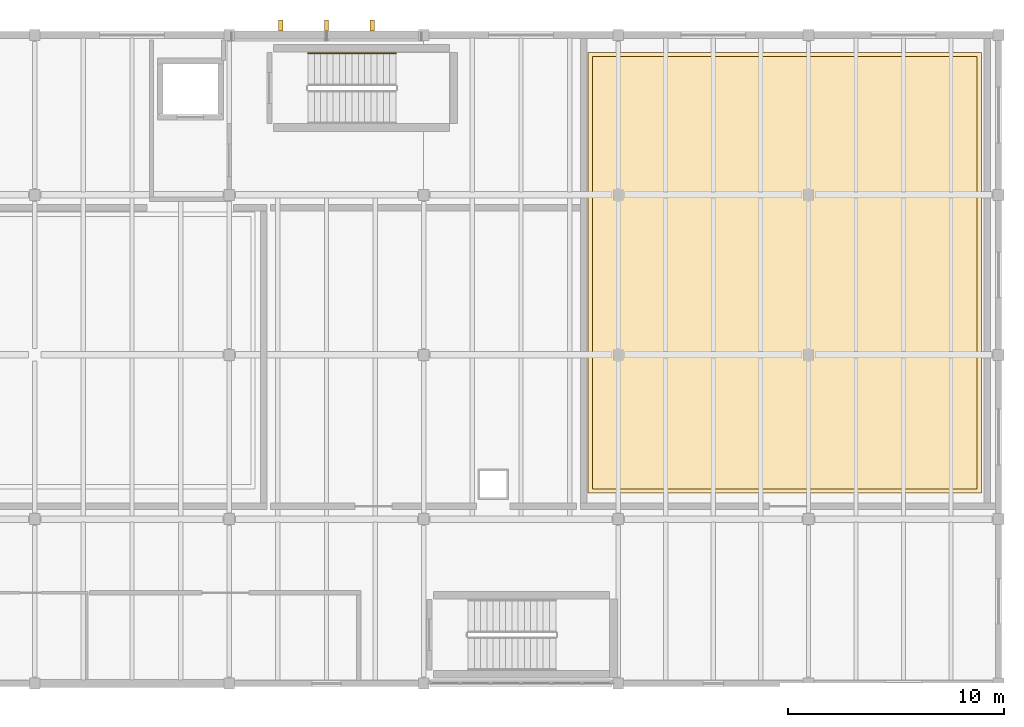
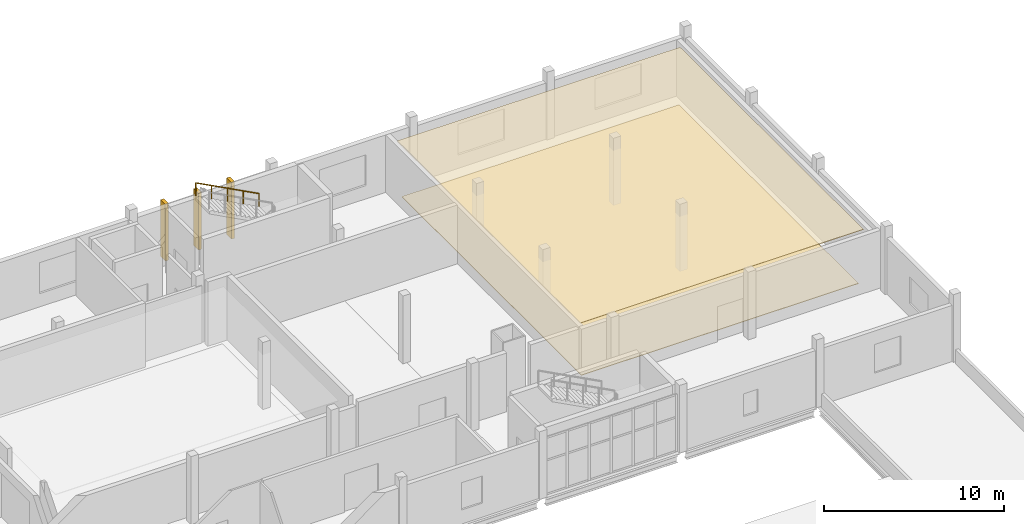
# One storey, part 74 of 74: 3 shading devices, 2 coverings, 1 railing.
"""IFC4 building model written with IfcOpenShell, lengths in metres."""

import ifcopenshell
import ifcopenshell.guid

model = None  # the IFC model being written
_history = None  # IfcOwnerHistory: only IFC2X3 demands one
_inside = {}  # id of a spatial element -> (the spatial element, [elements in it])
_under = {}  # id of a project, library or spatial element -> (it, [spatial elements below it])
_declared = {}  # id of a project -> (the project, [libraries it declares])
_typed = {}  # id of a type object -> (the type object, [elements of that type])
_made_of = {}  # id of a material, layer set ... -> (it, [elements and type objects made of it])


def new_model(schema):
    """Start an empty IFC model of exactly this schema.

    Asked for "IFC4X3", IfcOpenShell would pick the latest addendum, in which some entities
    have other attributes; the version numbers below select the first issue.
    IFC2X3 requires an IfcOwnerHistory on every rooted entity: one is made here for all.
    """
    global model, _history
    if schema == "IFC4X3":
        model = ifcopenshell.file(schema_version=(4, 3, 0, 0))
    else:
        model = ifcopenshell.file(schema=schema)
    _inside.clear()
    _under.clear()
    _declared.clear()
    _typed.clear()
    _made_of.clear()
    _history = None
    if model.schema == "IFC2X3":
        org = make("IfcOrganization", Name="unknown")
        user = make(
            "IfcPersonAndOrganization",
            ThePerson=make("IfcPerson", FamilyName="unknown"),
            TheOrganization=org,
        )
        app = make(
            "IfcApplication",
            ApplicationDeveloper=org,
            Version="unknown",
            ApplicationFullName="unknown",
            ApplicationIdentifier="unknown",
        )
        _history = make(
            "IfcOwnerHistory",
            OwningUser=user,
            OwningApplication=app,
            ChangeAction="ADDED",
            CreationDate=0,
        )
    return model


def make(cls, **values):
    """One entity of the class cls with the attributes given. An attribute that is None is left unset."""
    return model.create_entity(
        cls, **{name: value for name, value in values.items() if value is not None}
    )


def rooted(cls, **values):
    """An entity with a GlobalId (a new one), such as an element, a storey or a relation."""
    return make(cls, GlobalId=ifcopenshell.guid.new(), OwnerHistory=_history, **values)


def si_unit(unit_type, name, prefix=None):
    """IfcSIUnit, for example si_unit("LENGTHUNIT", "METRE", prefix="MILLI")."""
    return make("IfcSIUnit", UnitType=unit_type, Prefix=prefix, Name=name)


def assignment(units):
    """IfcUnitAssignment: the units of a project."""
    return None if units is None else make("IfcUnitAssignment", Units=units)


def point(xyz):
    """IfcCartesianPoint."""
    return None if xyz is None else make("IfcCartesianPoint", Coordinates=xyz)


def direction(xyz):
    """IfcDirection."""
    return None if xyz is None else make("IfcDirection", DirectionRatios=xyz)


def frame(location, z_axis=None, x_axis=None):
    """IfcAxis2Placement3D, a coordinate frame: its origin and axes. An axis left out is left unset."""
    return make(
        "IfcAxis2Placement3D",
        Location=point(location),
        Axis=direction(z_axis),
        RefDirection=direction(x_axis),
    )


def frame_2d(location, x_axis=None):
    """IfcAxis2Placement2D, a coordinate frame in the plane: its origin and x axis."""
    return make(
        "IfcAxis2Placement2D", Location=point(location), RefDirection=direction(x_axis)
    )


def origin():
    """The frame at (0, 0, 0) with its axes left unset."""
    return frame((0.0, 0.0, 0.0))


def origin_2d():
    """The frame at (0, 0) in the plane with its x axis left unset."""
    return frame_2d((0.0, 0.0))


def place(relative_to, where):
    """IfcLocalPlacement: puts the frame where relative to a parent placement (None: the world)."""
    return make(
        "IfcLocalPlacement", PlacementRelTo=relative_to, RelativePlacement=where
    )


def context(
    kind, dimensions, precision=None, world=None, true_north=None, identifier=None
):
    """IfcGeometricRepresentationContext, for example the 3D "Model" context."""
    return make(
        "IfcGeometricRepresentationContext",
        ContextIdentifier=identifier,
        ContextType=kind,
        CoordinateSpaceDimension=dimensions,
        Precision=precision,
        WorldCoordinateSystem=world,
        TrueNorth=true_north,
    )


def subcontext(parent, identifier, kind, view, scale=None):
    """IfcGeometricRepresentationSubContext, for example "Body" below "Model"."""
    return make(
        "IfcGeometricRepresentationSubContext",
        ContextIdentifier=identifier,
        ContextType=kind,
        ParentContext=parent,
        TargetScale=scale,
        TargetView=view,
    )


def project(units=None, contexts=None):
    """IfcProject with its units and contexts."""
    return rooted(
        "IfcProject",
        Name="project",
        RepresentationContexts=contexts,
        UnitsInContext=assignment(units),
    )


def spatial(cls, under=None, at=None, **own):
    """A site, building, storey or space (cls), placed at a placement, below another one or the project."""
    s = rooted(cls, ObjectPlacement=at, **own)
    if under is not None:
        _under.setdefault(under.id(), (under, []))[1].append(s)
    return s


def polyline(points):
    """IfcPolyline through the points."""
    return make("IfcPolyline", Points=[point(p) for p in points])


def profile(cls, at=None, kind="AREA", **sizes):
    """A parametric profile (cls). Its sizes go by their IFC names, for example OverallWidth=200.0."""
    return make(cls, ProfileType=kind, Position=at, **sizes)


def rectangle(**sizes):
    """IfcRectangleProfileDef."""
    return profile("IfcRectangleProfileDef", **sizes)


def circle(**sizes):
    """IfcCircleProfileDef."""
    return profile("IfcCircleProfileDef", **sizes)


def outline(outer, holes=None, kind="AREA"):
    """IfcArbitraryClosedProfileDef: a profile drawn as a closed curve; with holes, ...WithVoids."""
    if holes is None:
        return make("IfcArbitraryClosedProfileDef", ProfileType=kind, OuterCurve=outer)
    return make(
        "IfcArbitraryProfileDefWithVoids",
        ProfileType=kind,
        OuterCurve=outer,
        InnerCurves=holes,
    )


def extrude(swept, where, along, depth):
    """IfcExtrudedAreaSolid: the profile swept, set in the frame where, extruded along a direction by depth."""
    return make(
        "IfcExtrudedAreaSolid",
        SweptArea=swept,
        Position=where,
        ExtrudedDirection=direction(along),
        Depth=depth,
    )


def shape(context_of_items, identifier, shape_type, items):
    """IfcShapeRepresentation: the items that make up one representation, for example the "Body"."""
    return make(
        "IfcShapeRepresentation",
        ContextOfItems=context_of_items,
        RepresentationIdentifier=identifier,
        RepresentationType=shape_type,
        Items=items,
    )


def material(Name=None, Category=None):
    """IfcMaterial."""
    return make("IfcMaterial", Name=Name, Category=Category)


def layer(
    of_material, thickness, ventilated=None, Name=None, Category=None, Priority=None
):
    """IfcMaterialLayer: one layer of a wall or slab, of a material (None: an air gap)."""
    return make(
        "IfcMaterialLayer",
        Material=of_material,
        LayerThickness=thickness,
        IsVentilated=ventilated,
        Name=Name,
        Category=Category,
        Priority=Priority,
    )


def layer_set(layers, Name=None):
    """IfcMaterialLayerSet."""
    return make("IfcMaterialLayerSet", MaterialLayers=layers, LayerSetName=Name)


def made_of(thing, what):
    """Note that an element or type object is made of a material, layer set ...; save() writes the relation."""
    if what is not None:
        _made_of.setdefault(what.id(), (what, []))[1].append(thing)
    return thing


def type_object(cls, material=None, **own):
    """A type object (cls), such as IfcWallType, which elements share."""
    return made_of(rooted(cls, **own), material)


def element(
    cls,
    number,
    at=None,
    inside=None,
    cuts=None,
    type_object=None,
    material=None,
    context=None,
    identifier="Body",
    shape_type=None,
    held_by="IfcProductDefinitionShape",
    body=None,
    shapes=None,
    **own,
):
    """One element of the class cls, such as IfcWall. Its Tag is "e" and its number.

    at: its placement. inside: the storey or other place that contains it. cuts: it is an
    opening in that element (IfcRelVoidsElement). A single representation is given by context,
    identifier, shape_type and body (its items); several are given by shapes. held_by: the class
    of the entity that holds the representations. save() writes the other relations.
    """
    e = rooted(cls, Tag="e%d" % number, ObjectPlacement=at, **own)
    if body is not None:
        shapes = [shape(context, identifier, shape_type, body)]
    if shapes is not None:
        e.Representation = make(held_by, Representations=shapes)
    if inside is not None:
        _inside.setdefault(inside.id(), (inside, []))[1].append(e)
    if cuts is not None:
        rooted(
            "IfcRelVoidsElement", RelatingBuildingElement=cuts, RelatedOpeningElement=e
        )
    if type_object is not None:
        _typed.setdefault(type_object.id(), (type_object, []))[1].append(e)
    return made_of(e, material)


def aggregate(whole, parts):
    """IfcRelAggregates: a whole, such as a stair, and the parts it consists of."""
    return rooted("IfcRelAggregates", RelatingObject=whole, RelatedObjects=parts)


def save(model, path):
    """Write the relations noted so far, then the file.

    IfcRelAggregates (storeys below a building ...), IfcRelContainedInSpatialStructure (elements
    in a storey), IfcRelDefinesByType, IfcRelAssociatesMaterial and IfcRelDeclares: one each for
    every whole, place, type object, material and project.
    """
    for whole, parts in _under.values():
        aggregate(whole, parts)
    for where, things in _inside.values():
        rooted(
            "IfcRelContainedInSpatialStructure",
            RelatedElements=things,
            RelatingStructure=where,
        )
    for kind, things in _typed.values():
        rooted("IfcRelDefinesByType", RelatedObjects=things, RelatingType=kind)
    for what, things in _made_of.values():
        rooted("IfcRelAssociatesMaterial", RelatedObjects=things, RelatingMaterial=what)
    for by, libraries in _declared.values():
        rooted("IfcRelDeclares", RelatingContext=by, RelatedDefinitions=libraries)
    model.write(path)


model = new_model("IFC4")

# Units and contexts
model_context = context("Model", 3, precision=1e-05, world=origin(), true_north=direction((0.0, 1.0)))
body_context = subcontext(model_context, "Body", "Model", "MODEL_VIEW")
ifc_project = project(units=[si_unit("LENGTHUNIT", "METRE"), si_unit("AREAUNIT", "SQUARE_METRE"), si_unit("VOLUMEUNIT", "CUBIC_METRE"), si_unit("PLANEANGLEUNIT", "RADIAN"), si_unit("MASSUNIT", "GRAM", prefix="KILO")], contexts=[model_context])

# Site, building, storey
site_placement = place(None, origin())
site = spatial("IfcSite", under=ifc_project, at=site_placement, CompositionType="ELEMENT")
building_placement = place(site_placement, origin())
building = spatial("IfcBuilding", under=site, at=building_placement, Name="Shengluoqiao Park Theatre", CompositionType="ELEMENT")
storey_placement = place(building_placement, frame((0.0, 0.0, 14.60009765625)))
storey = spatial("IfcBuildingStorey", under=building, at=storey_placement, Name="L03", CompositionType="ELEMENT", Elevation=14.60009765625)

# Shading devices
ifc_material_1 = material(Name="Concrete C45", Category="concrete")
ifc_layer_1 = layer(ifc_material_1, 0.199951171875, Name="Concrete C45")
ifc_layer_set_1 = layer_set([ifc_layer_1], Name="Concrete C45")
shading_device_type = type_object("IfcShadingDeviceType", Name="ENV-FIN-520x200", PredefinedType="USERDEFINED", material=ifc_layer_set_1)
for number, where, z_axis, x_axis, name in (
    (1, (132.777099609375, 114.43505859375, 0.02001953125), (0.0, 0.0, 1.0), (0.0, 1.0, 0.0), "L03 Vertical Concrete Acoustic Rib 0153"),
    (2, (134.89990234375, 114.43505859375, 0.02001953125), (0.0, 0.0, 1.0), (0.0, 1.0, 0.0), "L03 Vertical Concrete Acoustic Rib 0154"),
    (3, (137.02294921875, 114.43505859375, 0.02001953125), (0.0, 0.0, 1.0), (0.0, 1.0, 0.0), "L03 Vertical Concrete Acoustic Rib 0155"),
):
    element("IfcShadingDevice", number, at=place(storey_placement, frame(where, z_axis=z_axis, x_axis=x_axis)), inside=storey, type_object=shading_device_type, Name=name, ObjectType="FIN", PredefinedType="USERDEFINED", context=body_context, shape_type="SweptSolid", body=[
        extrude(rectangle(XDim=0.52001953125, YDim=0.199951171875, at=origin_2d()), origin(), (0.0, 0.0, 1.0), 3.85791015625),
    ])

# Coverings
ifc_material_2 = material(Name="Perforated timber acoustic", Category="wood")
ifc_layer_2 = layer(ifc_material_2, 0.0400390625, Name="Perforated timber acoustic")
ifc_layer_set_2 = layer_set([ifc_layer_2], Name="Perforated timber acoustic")
covering_type_1 = type_object("IfcCoveringType", Name="INT-COV-CLG2", PredefinedType="CEILING", material=ifc_layer_set_2)
covering_1_placement = place(storey_placement, frame((0.0, 0.0, 3.719970703125)))
element("IfcCovering", 4, at=covering_1_placement, inside=storey, type_object=covering_type_1, Name="Chorus Rehearsal Perforated Timber Ceiling", PredefinedType="CEILING", context=body_context, shape_type="SweptSolid", body=[
    extrude(outline(polyline([(147.0, 92.800048828125), (165.199951171875, 92.800048828125), (165.199951171875, 113.199951171875), (147.0, 113.199951171875), (147.0, 92.800048828125)])), origin(), (0.0, 0.0, 1.0), 0.0400390625),
])
ifc_material_3 = material(Name="Engineered oak acoustic parquet", Category="wood")
ifc_layer_3 = layer(ifc_material_3, 0.034912109375, Name="Engineered oak acoustic parquet")
ifc_layer_set_3 = layer_set([ifc_layer_3], Name="Engineered oak acoustic parquet")
covering_type_2 = type_object("IfcCoveringType", Name="INT-COV-FLR2", PredefinedType="FLOORING", material=ifc_layer_set_3)
covering_2_placement = place(storey_placement, origin())
element("IfcCovering", 5, at=covering_2_placement, inside=storey, type_object=covering_type_2, Name="Chorus Rehearsal Oak Parquet", PredefinedType="FLOORING", context=body_context, shape_type="SweptSolid", body=[
    extrude(outline(polyline([(147.199951171875, 93.0), (165.0, 93.0), (165.0, 113.0), (147.199951171875, 113.0), (147.199951171875, 93.0)])), origin(), (0.0, 0.0, 1.0), 0.034912109375),
])

# Railing
ifc_material_4 = material(Name="Stainless steel 304", Category="steel")
railing_type = type_object("IfcRailingType", Name="INT-RL-STHR", PredefinedType="HANDRAIL", material=ifc_material_4)
railing_placement = place(storey_placement, frame((138.110107421875, 113.14990234375, 2.453125)))
element("IfcRailing", 6, at=railing_placement, inside=storey, type_object=railing_type, Name="L03 ST-06 stair handrail 2", PredefinedType="HANDRAIL", context=body_context, shape_type="SweptSolid", body=[
    extrude(circle(Radius=0.02392578125, at=origin_2d()), frame((0.0, 0.0, 0.8759765625), z_axis=(-0.884032182968, 0.0, 0.46742603637), x_axis=(0.0, -1.0, 0.0)), (0.0, 0.0, 1.0), 4.5927734375),
    extrude(circle(Radius=0.02099609375, at=origin_2d()), origin(), (0.0, 0.0, 1.0), 0.851806640625),
    extrude(circle(Radius=0.02099609375, at=origin_2d()), frame((-1.01513671875, 0.0, 0.53662109375)), (0.0, 0.0, 1.0), 0.851806640625),
    extrude(circle(Radius=0.02099609375, at=origin_2d()), frame((-2.030029296875, 0.0, 1.0732421875)), (0.0, 0.0, 1.0), 0.851806640625),
    extrude(circle(Radius=0.02099609375, at=origin_2d()), frame((-3.044921875, 0.0, 1.610107421875)), (0.0, 0.0, 1.0), 0.851806640625),
    extrude(circle(Radius=0.02099609375, at=origin_2d()), frame((-4.06005859375, 0.0, 2.146728515625)), (0.0, 0.0, 1.0), 0.851806640625),
])

save(model, "model.ifc")
